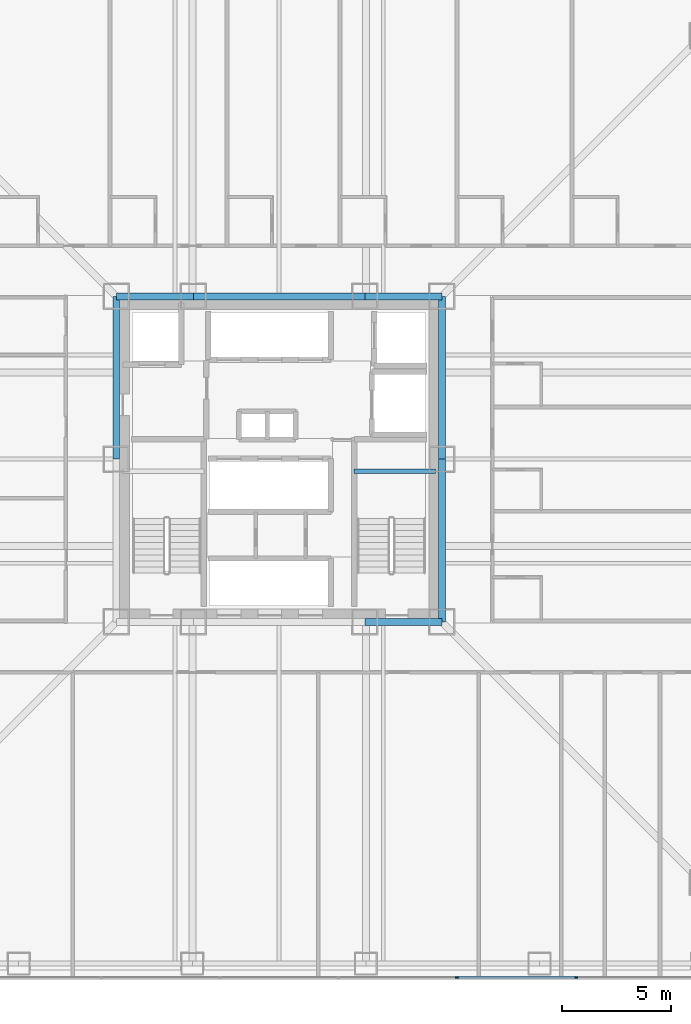
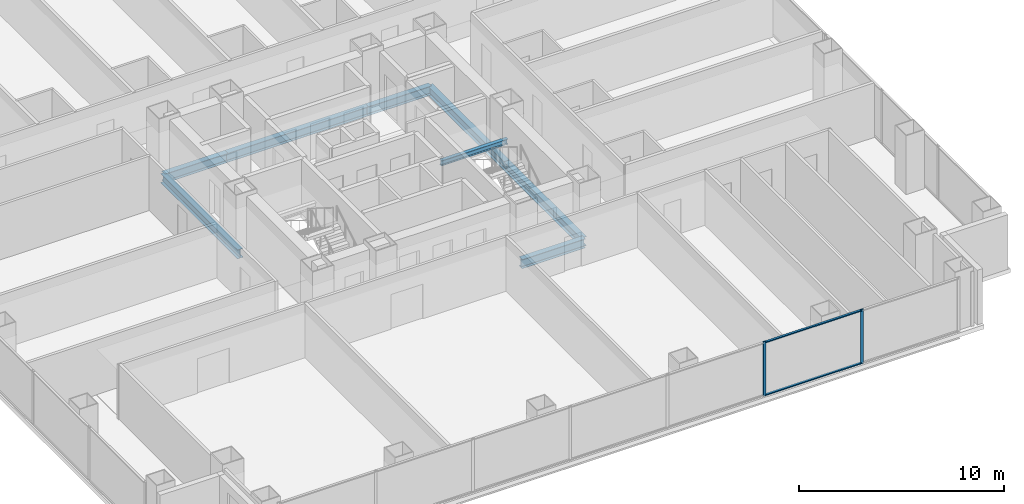
# One storey, part 5 of 16: 8 beams, 4 members, 1 element without a shape of its own.
"""IFC4 building model written with IfcOpenShell, lengths in metres."""

from ifc_helpers import new_model, si_unit, direction, frame, origin, origin_2d, place, context, subcontext, project, spatial, rectangle, i_section, extrude, material, layer, layer_set, material_profile, profile_set, type_object, element, aggregate, save


model = new_model("IFC4")

# Units and contexts
model_context = context("Model", 3, precision=1e-05, world=origin(), true_north=direction((0.0, 1.0)))
body_context = subcontext(model_context, "Body", "Model", "MODEL_VIEW")
ifc_project = project(units=[si_unit("LENGTHUNIT", "METRE"), si_unit("AREAUNIT", "SQUARE_METRE"), si_unit("VOLUMEUNIT", "CUBIC_METRE"), si_unit("PLANEANGLEUNIT", "RADIAN"), si_unit("MASSUNIT", "GRAM", prefix="KILO")], contexts=[model_context])

# Site, building, storey
site_placement = place(None, origin())
site = spatial("IfcSite", under=ifc_project, at=site_placement, CompositionType="ELEMENT")
building_placement = place(site_placement, origin())
building = spatial("IfcBuilding", under=site, at=building_placement, Name="Trevonay Congress Spire", CompositionType="ELEMENT")
storey_placement = place(building_placement, frame((0.0, 0.0, 72.5)))
storey = spatial("IfcBuildingStorey", under=building, at=storey_placement, Name="L18", CompositionType="ELEMENT", Elevation=72.5)

# Beams
ifc_material_1 = material(Name="Steel ASTM A572 Grade 50", Category="steel")
ifc_material_profile_1 = material_profile(ifc_material_1, i_section(OverallWidth=0.31201171875, OverallDepth=0.54296875, WebThickness=0.0126953125, FlangeThickness=0.020263671875, FilletRadius=0.014892578125, at=origin_2d()), Name="W530x150")
ifc_profile_set_1 = profile_set([ifc_material_profile_1], Name="Steel ASTM A572 Grade 50")
beam_type_1 = type_object("IfcBeamType", Name="BM-GIRD-W530X150", PredefinedType="BEAM", material=ifc_profile_set_1)
for number, where, z_axis, x_axis, name in (
    (1, (3.949951171875, -7.5, -0.521484375), (1.0, 0.0, 0.0), (0.0, 1.0, 0.0), "L18 structural beam BM-L18-CR-S3"),
    (2, (-7.5, 7.5, -0.521484375), (1.0, 0.0, 0.0), (0.0, 1.0, 0.0), "L18 structural beam BM-L18-CR-N1"),
):
    element("IfcBeam", number, at=place(storey_placement, frame(where, z_axis=z_axis, x_axis=x_axis)), inside=storey, type_object=beam_type_1, Name=name, PredefinedType="BEAM", context=body_context, shape_type="SweptSolid", body=[
        extrude(i_section(OverallWidth=0.31201171875, OverallDepth=0.54296875, WebThickness=0.0126953125, FlangeThickness=0.020263671875, FilletRadius=0.014892578125, at=origin_2d()), origin(), (0.0, 0.0, 1.0), 3.550048828125),
    ])
beam_1_placement = place(storey_placement, frame((-3.949951171875, 7.5, -0.521484375), z_axis=(1.0, 0.0, 0.0), x_axis=(0.0, 1.0, 0.0)))
element("IfcBeam", 3, at=beam_1_placement, inside=storey, type_object=beam_type_1, Name="L18 structural beam BM-L18-CR-N2", PredefinedType="BEAM", context=body_context, shape_type="SweptSolid", body=[
    extrude(i_section(OverallWidth=0.31201171875, OverallDepth=0.54296875, WebThickness=0.0126953125, FlangeThickness=0.020263671875, FilletRadius=0.014892578125, at=origin_2d()), origin(), (0.0, 0.0, 1.0), 7.89990234375),
])
beam_2_placement = place(storey_placement, frame((3.949951171875, 7.5, -0.521484375), z_axis=(1.0, 0.0, 0.0), x_axis=(0.0, 1.0, 0.0)))
element("IfcBeam", 4, at=beam_2_placement, inside=storey, type_object=beam_type_1, Name="L18 structural beam BM-L18-CR-N3", PredefinedType="BEAM", context=body_context, shape_type="SweptSolid", body=[
    extrude(i_section(OverallWidth=0.31201171875, OverallDepth=0.54296875, WebThickness=0.0126953125, FlangeThickness=0.020263671875, FilletRadius=0.014892578125, at=origin_2d()), origin(), (0.0, 0.0, 1.0), 3.550048828125),
])
for number, where, z_axis, x_axis, name in (
    (5, (-7.5, 0.0, -0.521484375), (0.0, 1.0, 0.0), (-1.0, 0.0, 0.0), "L18 structural beam BM-L18-CR-W2"),
    (6, (7.5, -7.5, -0.521484375), (0.0, 1.0, 0.0), (-1.0, 0.0, 0.0), "L18 structural beam BM-L18-CR-E1"),
    (7, (7.5, 0.0, -0.521484375), (0.0, 1.0, 0.0), (-1.0, 0.0, 0.0), "L18 structural beam BM-L18-CR-E2"),
):
    element("IfcBeam", number, at=place(storey_placement, frame(where, z_axis=z_axis, x_axis=x_axis)), inside=storey, type_object=beam_type_1, Name=name, PredefinedType="BEAM", context=body_context, shape_type="SweptSolid", body=[
        extrude(i_section(OverallWidth=0.31201171875, OverallDepth=0.54296875, WebThickness=0.0126953125, FlangeThickness=0.020263671875, FilletRadius=0.014892578125, at=origin_2d()), origin(), (0.0, 0.0, 1.0), 7.5),
    ])

# Curtain wall, members
ifc_material_2 = material(Name="Pale Anodised Aluminium EN AW-6063-T6", Category="aluminium")
ifc_layer = layer(ifc_material_2, 0.179931640625, Name="Pale Anodised Aluminium EN AW-6063-T6")
ifc_layer_set = layer_set([ifc_layer], Name="Pale Anodised Aluminium EN AW-6063-T6")
curtain_wall_type = type_object("IfcCurtainWallType", Name="CW-SYS02-HOTEL-PALE-METAL", PredefinedType="NOTDEFINED", material=ifc_layer_set)
curtain_wall_placement = place(storey_placement, origin())
curtain_wall = element("IfcCurtainWall", 8, at=curtain_wall_placement, inside=storey, type_object=curtain_wall_type, Name="L18 S unitised curtain wall", PredefinedType="NOTDEFINED")
ifc_material_profile_2 = material_profile(ifc_material_2, rectangle(XDim=0.06005859375, YDim=0.159912109375, at=origin_2d()), Name="CW-MULLION-160-ALUMINIUM")
ifc_profile_set_2 = profile_set([ifc_material_profile_2], Name="Pale Anodised Aluminium EN AW-6063-T6")
member_type_1 = type_object("IfcMemberType", Name="CW-MULLION-160-ALUMINIUM", PredefinedType="MULLION", material=ifc_profile_set_2)
member_1_placement = place(storey_placement, frame((8.20703125, -23.8798828125, 0.0), z_axis=(0.0, 0.0, 1.0), x_axis=(0.0, 1.0, 0.0)))
member_1 = element("IfcMember", 9, at=member_1_placement, type_object=member_type_1, Name="CW02 mullion 6", PredefinedType="MULLION", context=body_context, shape_type="SweptSolid", body=[
    extrude(rectangle(XDim=0.06005859375, YDim=0.159912109375, at=origin_2d()), origin(), (0.0, 0.0, 1.0), 3.25),
])
member_2_placement = place(storey_placement, frame((13.678466796875, -23.8798828125, 0.0), z_axis=(0.0, 0.0, 1.0), x_axis=(0.0, 1.0, 0.0)))
member_2 = element("IfcMember", 10, at=member_2_placement, type_object=member_type_1, Name="CW02 mullion 7", PredefinedType="MULLION", context=body_context, shape_type="SweptSolid", body=[
    extrude(rectangle(XDim=0.06005859375, YDim=0.159912109375, at=origin_2d()), origin(), (0.0, 0.0, 1.0), 3.25),
])
ifc_material_profile_3 = material_profile(ifc_material_2, rectangle(XDim=0.1201171875, YDim=0.06005859375, at=origin_2d()), Name="CW-TRANSOM-120-ALUMINIUM")
ifc_profile_set_3 = profile_set([ifc_material_profile_3], Name="Pale Anodised Aluminium EN AW-6063-T6")
member_type_2 = type_object("IfcMemberType", Name="CW-TRANSOM-120-ALUMINIUM", PredefinedType="USERDEFINED", material=ifc_profile_set_3)
member_3_placement = place(storey_placement, frame((8.237060546875, -23.8798828125, 0.06005859375), z_axis=(1.0, 0.0, 0.0), x_axis=(0.0, 1.0, 0.0)))
member_3 = element("IfcMember", 11, at=member_3_placement, type_object=member_type_2, Name="CW02 transom 6.1", ObjectType="TRANSOM", PredefinedType="USERDEFINED", context=body_context, shape_type="SweptSolid", body=[
    extrude(rectangle(XDim=0.1201171875, YDim=0.06005859375, at=origin_2d()), origin(), (0.0, 0.0, 1.0), 5.41162109375),
])
member_4_placement = place(storey_placement, frame((8.237060546875, -23.8798828125, 3.18994140625), z_axis=(1.0, 0.0, 0.0), x_axis=(0.0, 1.0, 0.0)))
member_4 = element("IfcMember", 12, at=member_4_placement, type_object=member_type_2, Name="CW02 transom 6.2", ObjectType="TRANSOM", PredefinedType="USERDEFINED", context=body_context, shape_type="SweptSolid", body=[
    extrude(rectangle(XDim=0.1201171875, YDim=0.06005859375, at=origin_2d()), origin(), (0.0, 0.0, 1.0), 5.41162109375),
])
aggregate(curtain_wall, [member_1, member_2, member_3, member_4])

# Beam
ifc_material_profile_4 = material_profile(ifc_material_1, i_section(OverallWidth=0.2041015625, OverallDepth=0.305908203125, WebThickness=0.008544921875, FlangeThickness=0.0146484375, FilletRadius=0.010986328125, at=origin_2d()), Name="W310x67")
ifc_profile_set_4 = profile_set([ifc_material_profile_4], Name="Steel ASTM A572 Grade 50")
beam_type_2 = type_object("IfcBeamType", Name="LN-CORE-W310X67", PredefinedType="LINTEL", material=ifc_profile_set_4)
beam_3_placement = place(storey_placement, frame((3.449951171875, -0.550048828125, 1.39697265625), z_axis=(1.0, 0.0, 0.0), x_axis=(0.0, 1.0, 0.0)))
element("IfcBeam", 13, at=beam_3_placement, inside=storey, type_object=beam_type_2, Name="L18 structural beam BM-L18-HL-ST2", PredefinedType="LINTEL", context=body_context, shape_type="SweptSolid", body=[
    extrude(i_section(OverallWidth=0.2041015625, OverallDepth=0.305908203125, WebThickness=0.008544921875, FlangeThickness=0.0146484375, FilletRadius=0.010986328125, at=origin_2d()), origin(), (0.0, 0.0, 1.0), 3.75),
])

save(model, "model.ifc")
